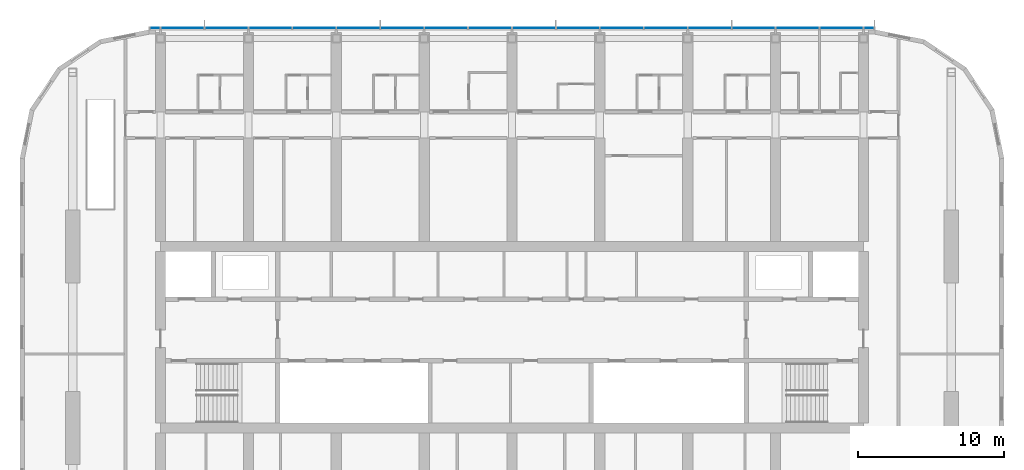
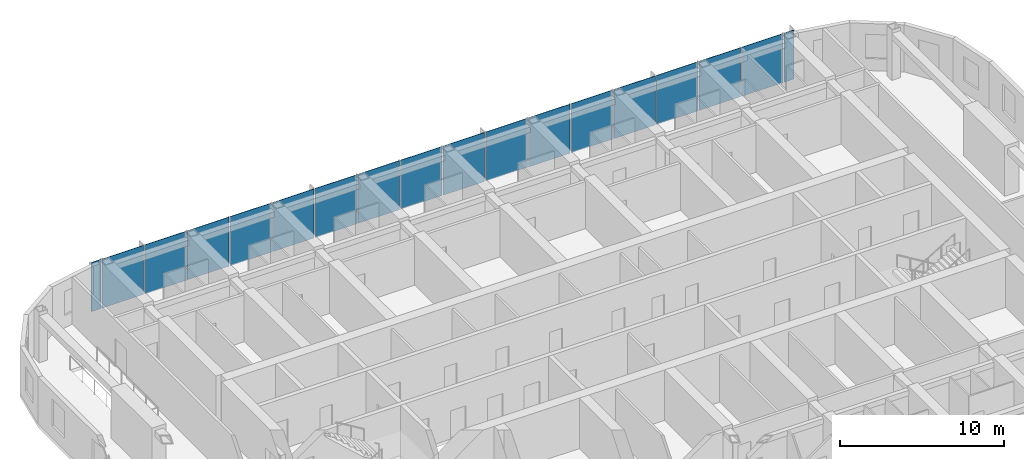
# One storey, part 9 of 23: 18 plates, 1 element without a shape of its own.
"""IFC4 building model written with IfcOpenShell, lengths in metres."""

from ifc_helpers import new_model, si_unit, direction, frame, origin, origin_2d, place, context, subcontext, project, spatial, rectangle, extrude, material, layer, layer_set, type_object, element, aggregate, save


model = new_model("IFC4")

# Units and contexts
model_context = context("Model", 3, precision=1e-05, world=origin(), true_north=direction((0.0, 1.0)))
body_context = subcontext(model_context, "Body", "Model", "MODEL_VIEW")
ifc_project = project(units=[si_unit("LENGTHUNIT", "METRE"), si_unit("AREAUNIT", "SQUARE_METRE"), si_unit("VOLUMEUNIT", "CUBIC_METRE"), si_unit("PLANEANGLEUNIT", "RADIAN"), si_unit("MASSUNIT", "GRAM", prefix="KILO")], contexts=[model_context])

# Site, building, storey
site_placement = place(None, origin())
site = spatial("IfcSite", under=ifc_project, at=site_placement, CompositionType="ELEMENT")
building_placement = place(site_placement, origin())
building = spatial("IfcBuilding", under=site, at=building_placement, Name="Orbita Commons", CompositionType="ELEMENT")
storey_placement = place(building_placement, frame((0.0, 0.0, 250.300048828125)))
storey = spatial("IfcBuildingStorey", under=building, at=storey_placement, Name="L62", CompositionType="ELEMENT", Elevation=250.300048828125)

# Curtain wall, plates
ifc_material_1 = material(Name="Anodised aluminium frame, pale silver", Category="aluminium")
curtain_wall_type = type_object("IfcCurtainWallType", Name="Unitised curtain wall CW-U, full-height vision", PredefinedType="NOTDEFINED", material=ifc_material_1)
curtain_wall_placement = place(storey_placement, origin())
curtain_wall = element("IfcCurtainWall", 1, at=curtain_wall_placement, inside=storey, type_object=curtain_wall_type, Name="Curtain wall north L62", PredefinedType="NOTDEFINED")
ifc_material_2 = material(Name="Clear double glazing", Category="glass")
ifc_layer = layer(ifc_material_2, 0.031982421875)
ifc_layer_set = layer_set([ifc_layer], Name="Clear double glazing")
plate_type = type_object("IfcPlateType", Name="Full-height vision panel, clear glazing 32", PredefinedType="CURTAIN_PANEL", material=ifc_layer_set)
plate_1_placement = place(storey_placement, frame((66.3798828125, 53.110107421875, -0.14990234375), z_axis=(0.0, 0.0, 1.0), x_axis=(-1.0, 0.0, 0.0)))
plate_1 = element("IfcPlate", 2, at=plate_1_placement, type_object=plate_type, Name="Panel 1.1 CW-L62-N", PredefinedType="CURTAIN_PANEL", context=body_context, shape_type="SweptSolid", body=[
    extrude(rectangle(XDim=0.679931640625, YDim=0.031982421875, at=origin_2d()), origin(), (0.0, 0.0, 1.0), 3.64990234375),
])
plate_2_placement = place(storey_placement, frame((64.5, 53.110107421875, -0.14990234375), z_axis=(0.0, 0.0, 1.0), x_axis=(-1.0, 0.0, 0.0)))
plate_2 = element("IfcPlate", 3, at=plate_2_placement, type_object=plate_type, Name="Panel 2.1 CW-L62-N", PredefinedType="CURTAIN_PANEL", context=body_context, shape_type="SweptSolid", body=[
    extrude(rectangle(XDim=2.919921875, YDim=0.031982421875, at=origin_2d()), origin(), (0.0, 0.0, 1.0), 3.64990234375),
])
plate_3_placement = place(storey_placement, frame((61.5, 53.110107421875, -0.14990234375), z_axis=(0.0, 0.0, 1.0), x_axis=(-1.0, 0.0, 0.0)))
plate_3 = element("IfcPlate", 4, at=plate_3_placement, type_object=plate_type, Name="Panel 3.1 CW-L62-N", PredefinedType="CURTAIN_PANEL", context=body_context, shape_type="SweptSolid", body=[
    extrude(rectangle(XDim=2.919921875, YDim=0.031982421875, at=origin_2d()), origin(), (0.0, 0.0, 1.0), 3.64990234375),
])
plate_4_placement = place(storey_placement, frame((58.5, 53.110107421875, -0.14990234375), z_axis=(0.0, 0.0, 1.0), x_axis=(-1.0, 0.0, 0.0)))
plate_4 = element("IfcPlate", 5, at=plate_4_placement, type_object=plate_type, Name="Panel 4.1 CW-L62-N", PredefinedType="CURTAIN_PANEL", context=body_context, shape_type="SweptSolid", body=[
    extrude(rectangle(XDim=2.919921875, YDim=0.031982421875, at=origin_2d()), origin(), (0.0, 0.0, 1.0), 3.64990234375),
])
plate_5_placement = place(storey_placement, frame((55.5, 53.110107421875, -0.14990234375), z_axis=(0.0, 0.0, 1.0), x_axis=(-1.0, 0.0, 0.0)))
plate_5 = element("IfcPlate", 6, at=plate_5_placement, type_object=plate_type, Name="Panel 5.1 CW-L62-N", PredefinedType="CURTAIN_PANEL", context=body_context, shape_type="SweptSolid", body=[
    extrude(rectangle(XDim=2.919921875, YDim=0.031982421875, at=origin_2d()), origin(), (0.0, 0.0, 1.0), 3.64990234375),
])
plate_6_placement = place(storey_placement, frame((52.5, 53.110107421875, -0.14990234375), z_axis=(0.0, 0.0, 1.0), x_axis=(-1.0, 0.0, 0.0)))
plate_6 = element("IfcPlate", 7, at=plate_6_placement, type_object=plate_type, Name="Panel 6.1 CW-L62-N", PredefinedType="CURTAIN_PANEL", context=body_context, shape_type="SweptSolid", body=[
    extrude(rectangle(XDim=2.919921875, YDim=0.031982421875, at=origin_2d()), origin(), (0.0, 0.0, 1.0), 3.64990234375),
])
plate_7_placement = place(storey_placement, frame((49.5, 53.110107421875, -0.14990234375), z_axis=(0.0, 0.0, 1.0), x_axis=(-1.0, 0.0, 0.0)))
plate_7 = element("IfcPlate", 8, at=plate_7_placement, type_object=plate_type, Name="Panel 7.1 CW-L62-N", PredefinedType="CURTAIN_PANEL", context=body_context, shape_type="SweptSolid", body=[
    extrude(rectangle(XDim=2.919921875, YDim=0.031982421875, at=origin_2d()), origin(), (0.0, 0.0, 1.0), 3.64990234375),
])
plate_8_placement = place(storey_placement, frame((46.5, 53.110107421875, -0.14990234375), z_axis=(0.0, 0.0, 1.0), x_axis=(-1.0, 0.0, 0.0)))
plate_8 = element("IfcPlate", 9, at=plate_8_placement, type_object=plate_type, Name="Panel 8.1 CW-L62-N", PredefinedType="CURTAIN_PANEL", context=body_context, shape_type="SweptSolid", body=[
    extrude(rectangle(XDim=2.919921875, YDim=0.031982421875, at=origin_2d()), origin(), (0.0, 0.0, 1.0), 3.64990234375),
])
plate_9_placement = place(storey_placement, frame((43.5, 53.110107421875, -0.14990234375), z_axis=(0.0, 0.0, 1.0), x_axis=(-1.0, 0.0, 0.0)))
plate_9 = element("IfcPlate", 10, at=plate_9_placement, type_object=plate_type, Name="Panel 9.1 CW-L62-N", PredefinedType="CURTAIN_PANEL", context=body_context, shape_type="SweptSolid", body=[
    extrude(rectangle(XDim=2.919921875, YDim=0.031982421875, at=origin_2d()), origin(), (0.0, 0.0, 1.0), 3.64990234375),
])
plate_10_placement = place(storey_placement, frame((40.5, 53.110107421875, -0.14990234375), z_axis=(0.0, 0.0, 1.0), x_axis=(-1.0, 0.0, 0.0)))
plate_10 = element("IfcPlate", 11, at=plate_10_placement, type_object=plate_type, Name="Panel 10.1 CW-L62-N", PredefinedType="CURTAIN_PANEL", context=body_context, shape_type="SweptSolid", body=[
    extrude(rectangle(XDim=2.919921875, YDim=0.031982421875, at=origin_2d()), origin(), (0.0, 0.0, 1.0), 3.64990234375),
])
plate_11_placement = place(storey_placement, frame((37.5, 53.110107421875, -0.14990234375), z_axis=(0.0, 0.0, 1.0), x_axis=(-1.0, 0.0, 0.0)))
plate_11 = element("IfcPlate", 12, at=plate_11_placement, type_object=plate_type, Name="Panel 11.1 CW-L62-N", PredefinedType="CURTAIN_PANEL", context=body_context, shape_type="SweptSolid", body=[
    extrude(rectangle(XDim=2.919921875, YDim=0.031982421875, at=origin_2d()), origin(), (0.0, 0.0, 1.0), 3.64990234375),
])
plate_12_placement = place(storey_placement, frame((34.5, 53.110107421875, -0.14990234375), z_axis=(0.0, 0.0, 1.0), x_axis=(-1.0, 0.0, 0.0)))
plate_12 = element("IfcPlate", 13, at=plate_12_placement, type_object=plate_type, Name="Panel 12.1 CW-L62-N", PredefinedType="CURTAIN_PANEL", context=body_context, shape_type="SweptSolid", body=[
    extrude(rectangle(XDim=2.919921875, YDim=0.031982421875, at=origin_2d()), origin(), (0.0, 0.0, 1.0), 3.64990234375),
])
plate_13_placement = place(storey_placement, frame((31.5, 53.110107421875, -0.14990234375), z_axis=(0.0, 0.0, 1.0), x_axis=(-1.0, 0.0, 0.0)))
plate_13 = element("IfcPlate", 14, at=plate_13_placement, type_object=plate_type, Name="Panel 13.1 CW-L62-N", PredefinedType="CURTAIN_PANEL", context=body_context, shape_type="SweptSolid", body=[
    extrude(rectangle(XDim=2.919921875, YDim=0.031982421875, at=origin_2d()), origin(), (0.0, 0.0, 1.0), 3.64990234375),
])
plate_14_placement = place(storey_placement, frame((28.5, 53.110107421875, -0.14990234375), z_axis=(0.0, 0.0, 1.0), x_axis=(-1.0, 0.0, 0.0)))
plate_14 = element("IfcPlate", 15, at=plate_14_placement, type_object=plate_type, Name="Panel 14.1 CW-L62-N", PredefinedType="CURTAIN_PANEL", context=body_context, shape_type="SweptSolid", body=[
    extrude(rectangle(XDim=2.919921875, YDim=0.031982421875, at=origin_2d()), origin(), (0.0, 0.0, 1.0), 3.64990234375),
])
plate_15_placement = place(storey_placement, frame((25.5, 53.110107421875, -0.14990234375), z_axis=(0.0, 0.0, 1.0), x_axis=(-1.0, 0.0, 0.0)))
plate_15 = element("IfcPlate", 16, at=plate_15_placement, type_object=plate_type, Name="Panel 15.1 CW-L62-N", PredefinedType="CURTAIN_PANEL", context=body_context, shape_type="SweptSolid", body=[
    extrude(rectangle(XDim=2.919921875, YDim=0.031982421875, at=origin_2d()), origin(), (0.0, 0.0, 1.0), 3.64990234375),
])
plate_16_placement = place(storey_placement, frame((22.5, 53.110107421875, -0.14990234375), z_axis=(0.0, 0.0, 1.0), x_axis=(-1.0, 0.0, 0.0)))
plate_16 = element("IfcPlate", 17, at=plate_16_placement, type_object=plate_type, Name="Panel 16.1 CW-L62-N", PredefinedType="CURTAIN_PANEL", context=body_context, shape_type="SweptSolid", body=[
    extrude(rectangle(XDim=2.919921875, YDim=0.031982421875, at=origin_2d()), origin(), (0.0, 0.0, 1.0), 3.64990234375),
])
plate_17_placement = place(storey_placement, frame((19.5, 53.110107421875, -0.14990234375), z_axis=(0.0, 0.0, 1.0), x_axis=(-1.0, 0.0, 0.0)))
plate_17 = element("IfcPlate", 18, at=plate_17_placement, type_object=plate_type, Name="Panel 17.1 CW-L62-N", PredefinedType="CURTAIN_PANEL", context=body_context, shape_type="SweptSolid", body=[
    extrude(rectangle(XDim=2.919921875, YDim=0.031982421875, at=origin_2d()), origin(), (0.0, 0.0, 1.0), 3.64990234375),
])
plate_18_placement = place(storey_placement, frame((17.6201171875, 53.110107421875, -0.14990234375), z_axis=(0.0, 0.0, 1.0), x_axis=(-1.0, 0.0, 0.0)))
plate_18 = element("IfcPlate", 19, at=plate_18_placement, type_object=plate_type, Name="Panel 18.1 CW-L62-N", PredefinedType="CURTAIN_PANEL", context=body_context, shape_type="SweptSolid", body=[
    extrude(rectangle(XDim=0.679931640625, YDim=0.031982421875, at=origin_2d()), origin(), (0.0, 0.0, 1.0), 3.64990234375),
])
aggregate(curtain_wall, [plate_1, plate_2, plate_3, plate_4, plate_5, plate_6, plate_7, plate_8, plate_9, plate_10, plate_11, plate_12, plate_13, plate_14, plate_15, plate_16, plate_17, plate_18])

save(model, "model.ifc")
